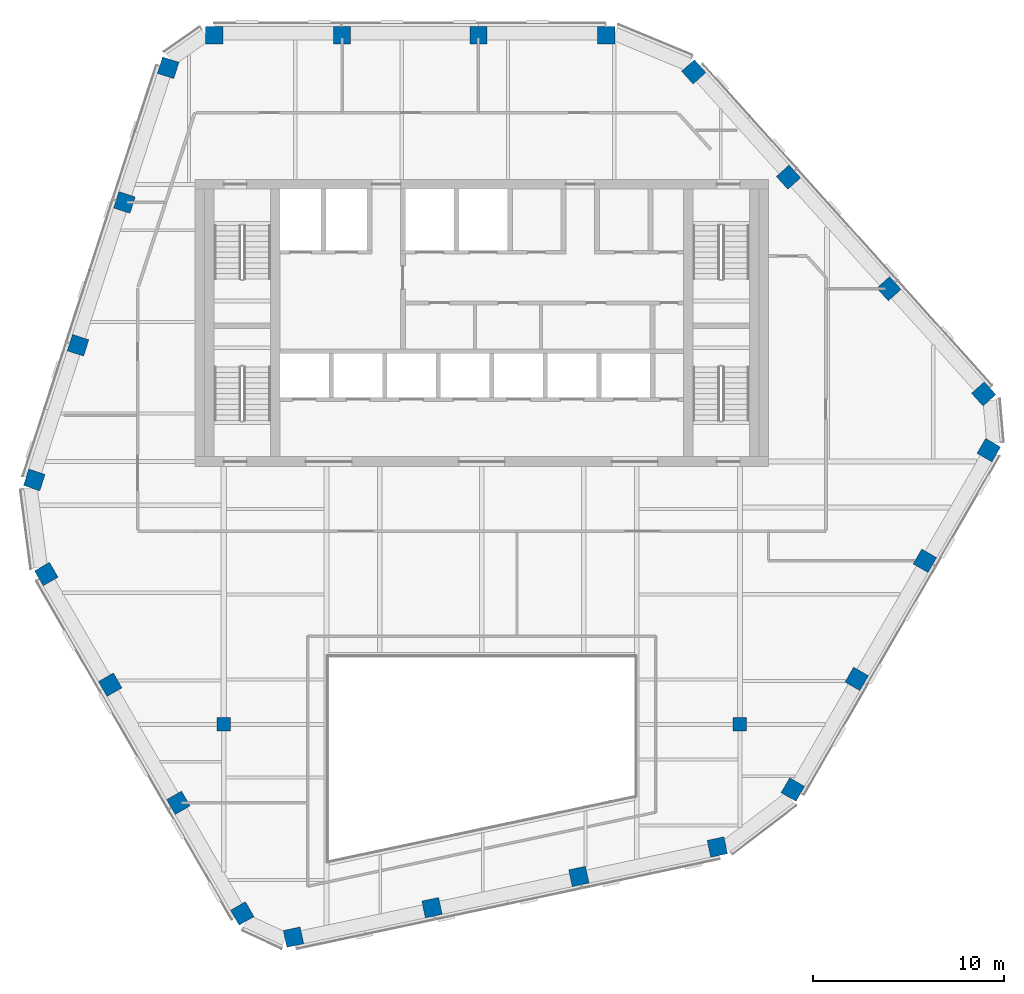
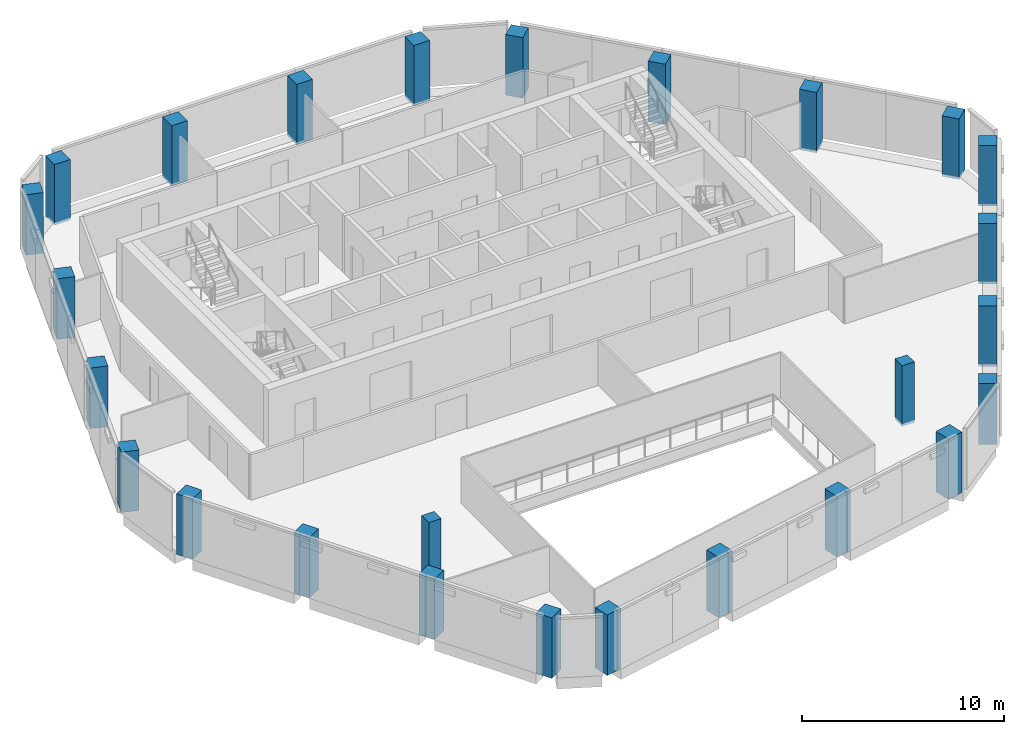
# One storey, part 1 of 15: 26 columns.
"""IFC4 building model written with IfcOpenShell, lengths in metres."""

from ifc_helpers import new_model, si_unit, direction, frame, origin, origin_2d, place, context, subcontext, project, spatial, rectangle, extrude, material, material_profile, profile_set, type_object, element, save


model = new_model("IFC4")

# Units and contexts
model_context = context("Model", 3, precision=1e-05, world=origin(), true_north=direction((0.0, 1.0)))
body_context = subcontext(model_context, "Body", "Model", "MODEL_VIEW")
ifc_project = project(units=[si_unit("LENGTHUNIT", "METRE"), si_unit("AREAUNIT", "SQUARE_METRE"), si_unit("VOLUMEUNIT", "CUBIC_METRE"), si_unit("PLANEANGLEUNIT", "RADIAN"), si_unit("MASSUNIT", "GRAM", prefix="KILO")], contexts=[model_context])

# Site, building, storey
site_placement = place(None, origin())
site = spatial("IfcSite", under=ifc_project, at=site_placement, CompositionType="ELEMENT")
building_placement = place(site_placement, origin())
building = spatial("IfcBuilding", under=site, at=building_placement, Name="Isthmus Gate Tower", CompositionType="ELEMENT")
storey_placement = place(building_placement, frame((0.0, 0.0, 290.14990234375)))
storey = spatial("IfcBuildingStorey", under=building, at=storey_placement, Name="L74", CompositionType="ELEMENT", Elevation=290.14990234375)

# Columns
ifc_material_1 = material(Name="Concrete f'c 50 MPa", Category="concrete")
ifc_material_profile_1 = material_profile(ifc_material_1, rectangle(XDim=0.699951171875, YDim=0.699951171875, at=origin_2d()), Name="RC 700X700")
ifc_profile_set_1 = profile_set([ifc_material_profile_1], Name="Concrete f'c 50 MPa")
column_type_1 = type_object("IfcColumnType", Name="RC INTERIOR COLUMN 700 X 700", PredefinedType="COLUMN", material=ifc_profile_set_1)
for number, where, z_axis, x_axis, name in (
    (1, (-13.5, -13.5, -0.14990234375), (0.0, 0.0, 1.0), (1.0, 0.0, 0.0), "str-icol-L74-ICB2"),
    (2, (13.5, -13.5, -0.14990234375), (0.0, 0.0, 1.0), (1.0, 0.0, 0.0), "str-icol-L74-ICD2"),
):
    element("IfcColumn", number, at=place(storey_placement, frame(where, z_axis=z_axis, x_axis=x_axis)), inside=storey, type_object=column_type_1, Name=name, PredefinedType="COLUMN", context=body_context, shape_type="SweptSolid", body=[
        extrude(rectangle(XDim=0.699951171875, YDim=0.699951171875, at=origin_2d()), origin(), (0.0, 0.0, 1.0), 3.64990234375),
    ])
ifc_material_2 = material(Name="Concrete f'c 50 MPa", Category="concrete")
ifc_material_profile_2 = material_profile(ifc_material_2, rectangle(XDim=0.89990234375, YDim=0.89990234375, at=origin_2d()), Name="RC 900X900")
ifc_profile_set_2 = profile_set([ifc_material_profile_2], Name="Concrete f'c 50 MPa")
column_type_2 = type_object("IfcColumnType", Name="RC TUBE COLUMN 900 X 900", PredefinedType="COLUMN", material=ifc_profile_set_2)
for number, where, z_axis, x_axis, name in (
    (3, (6.509521484375, 22.550048828125, -0.14990234375), (0.0, 0.0, 1.0), (-1.0, 0.0, 0.0), "str-tcol-L74-T4N0"),
    (4, (-0.175048828125, 22.550048828125, -0.14990234375), (0.0, 0.0, 1.0), (-1.0, 0.0, 0.0), "str-tcol-L74-T4N1"),
    (5, (-7.3095703125, 22.550048828125, -0.14990234375), (0.0, 0.0, 1.0), (-1.0, 0.0, 0.0), "str-tcol-L74-T4N2"),
    (6, (-13.994140625, 22.550048828125, -0.14990234375), (0.0, 0.0, 1.0), (-1.0, 0.0, 0.0), "str-tcol-L74-T4N3"),
    (7, (-16.408203125, 20.847900390625, -0.14990234375), (0.0, 0.0, 1.0), (-0.309016994375, -0.951056516295, 0.0), "str-tcol-L74-T4NW0"),
    (8, (-18.697021484375, 13.8037109375, -0.14990234375), (0.0, 0.0, 1.0), (-0.309016994375, -0.951056516295, 0.0), "str-tcol-L74-T4NW1"),
    (9, (-21.124755859375, 6.331298828125, -0.14990234375), (0.0, 0.0, 1.0), (-0.309016994375, -0.951056516295, 0.0), "str-tcol-L74-T4NW2"),
    (10, (-23.41357421875, -0.712890625, -0.14990234375), (0.0, 0.0, 1.0), (-0.309016994375, -0.951056516295, 0.0), "str-tcol-L74-T4NW3"),
    (11, (-22.78369140625, -5.6376953125, -0.14990234375), (0.0, 0.0, 1.0), (0.5, -0.866025403784, 0.0), "str-tcol-L74-T4SW0"),
    (12, (-19.44140625, -11.426513671875, -0.14990234375), (0.0, 0.0, 1.0), (0.5, -0.866025403784, 0.0), "str-tcol-L74-T4SW1"),
    (13, (-15.8740234375, -17.605224609375, -0.14990234375), (0.0, 0.0, 1.0), (0.5, -0.866025403784, 0.0), "str-tcol-L74-T4SW2"),
    (14, (-12.53173828125, -23.394287109375, -0.14990234375), (0.0, 0.0, 1.0), (0.5, -0.866025403784, 0.0), "str-tcol-L74-T4SW3"),
    (15, (-9.850830078125, -24.6337890625, -0.14990234375), (0.0, 0.0, 1.0), (0.978147600734, 0.207911690818, 0.0), "str-tcol-L74-T4S0"),
    (16, (-2.605712890625, -23.09375, -0.14990234375), (0.0, 0.0, 1.0), (0.978147600734, 0.207911690818, 0.0), "str-tcol-L74-T4S1"),
    (17, (5.079345703125, -21.460205078125, -0.14990234375), (0.0, 0.0, 1.0), (0.978147600734, 0.207911690818, 0.0), "str-tcol-L74-T4S2"),
    (18, (12.32421875, -19.92041015625, -0.14990234375), (0.0, 0.0, 1.0), (0.978147600734, 0.207911690818, 0.0), "str-tcol-L74-T4S3"),
    (19, (16.274169921875, -16.912353515625, -0.14990234375), (0.0, 0.0, 1.0), (0.5, 0.866025403784, 0.0), "str-tcol-L74-T4SE0"),
    (20, (19.616455078125, -11.123291015625, -0.14990234375), (0.0, 0.0, 1.0), (0.5, 0.866025403784, 0.0), "str-tcol-L74-T4SE1"),
    (21, (23.18359375, -4.944580078125, -0.14990234375), (0.0, 0.0, 1.0), (0.5, 0.866025403784, 0.0), "str-tcol-L74-T4SE2"),
    (22, (26.52587890625, 0.84423828125, -0.14990234375), (0.0, 0.0, 1.0), (0.5, 0.866025403784, 0.0), "str-tcol-L74-T4SE3"),
    (23, (26.2587890625, 3.785888671875, -0.14990234375), (0.0, 0.0, 1.0), (-0.669130606359, 0.743144825477, 0.0), "str-tcol-L74-T4NE0"),
    (24, (21.302734375, 9.290283203125, -0.14990234375), (0.0, 0.0, 1.0), (-0.669130606359, 0.743144825477, 0.0), "str-tcol-L74-T4NE1"),
    (25, (16.04541015625, 15.12890625, -0.14990234375), (0.0, 0.0, 1.0), (-0.669130606359, 0.743144825477, 0.0), "str-tcol-L74-T4NE2"),
    (26, (11.08935546875, 20.63330078125, -0.14990234375), (0.0, 0.0, 1.0), (-0.669130606359, 0.743144825477, 0.0), "str-tcol-L74-T4NE3"),
):
    element("IfcColumn", number, at=place(storey_placement, frame(where, z_axis=z_axis, x_axis=x_axis)), inside=storey, type_object=column_type_2, Name=name, PredefinedType="COLUMN", context=body_context, shape_type="SweptSolid", body=[
        extrude(rectangle(XDim=0.89990234375, YDim=0.89990234375, at=origin_2d()), origin(), (0.0, 0.0, 1.0), 3.64990234375),
    ])

save(model, "model.ifc")
